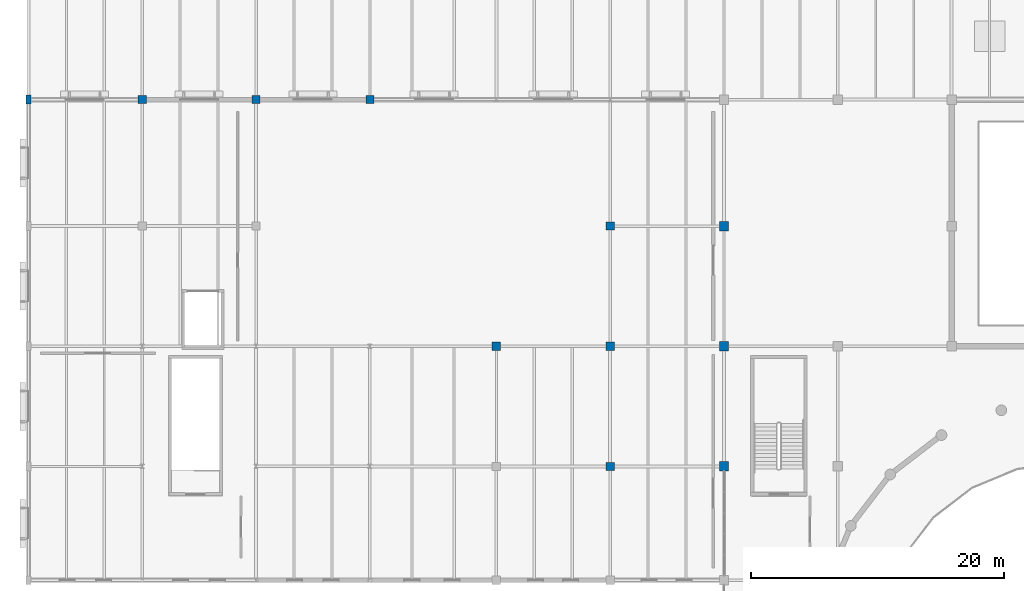
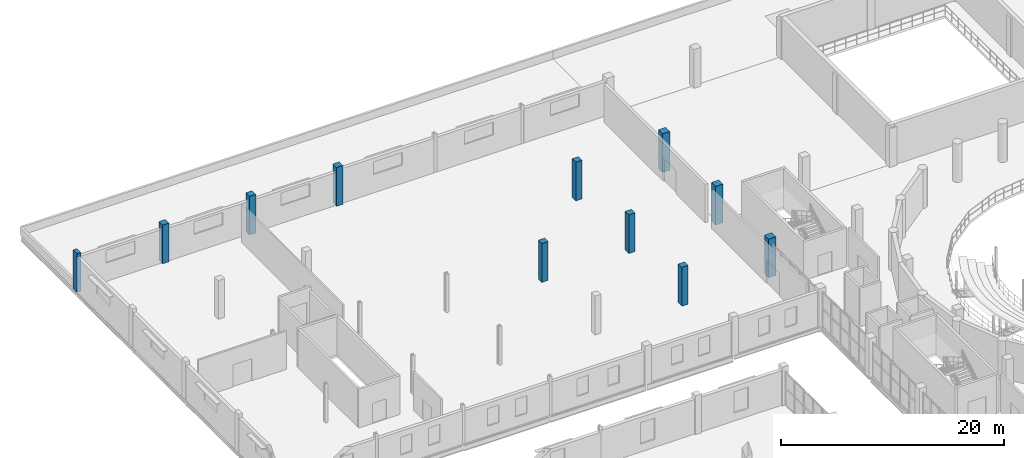
# One storey, part 13 of 85: 11 columns.
"""IFC4 building model written with IfcOpenShell, lengths in metres."""

from ifc_helpers import new_model, si_unit, direction, frame, origin, origin_2d, place, context, subcontext, project, spatial, rectangle, extrude, material, material_profile, profile_set, type_object, element, save


model = new_model("IFC4")

# Units and contexts
model_context = context("Model", 3, precision=1e-05, world=origin(), true_north=direction((0.0, 1.0)))
body_context = subcontext(model_context, "Body", "Model", "MODEL_VIEW")
ifc_project = project(units=[si_unit("LENGTHUNIT", "METRE"), si_unit("AREAUNIT", "SQUARE_METRE"), si_unit("VOLUMEUNIT", "CUBIC_METRE"), si_unit("PLANEANGLEUNIT", "RADIAN"), si_unit("MASSUNIT", "GRAM", prefix="KILO")], contexts=[model_context])

# Site, building, storey
site_placement = place(None, origin())
site = spatial("IfcSite", under=ifc_project, at=site_placement, CompositionType="ELEMENT")
building_placement = place(site_placement, origin())
building = spatial("IfcBuilding", under=site, at=building_placement, Name="Marnock Terrace Opera House", CompositionType="ELEMENT")
storey_placement = place(building_placement, frame((0.0, 0.0, 10.199951171875)))
storey = spatial("IfcBuildingStorey", under=building, at=storey_placement, Name="L02", CompositionType="ELEMENT", Elevation=10.199951171875)

# Columns
ifc_material_1 = material(Name="Concrete N40 (f'c = 40 MPa)", Category="concrete")
ifc_material_profile_1 = material_profile(ifc_material_1, rectangle(XDim=0.39990234375, YDim=0.699951171875, at=origin_2d()))
ifc_profile_set_1 = profile_set([ifc_material_profile_1], Name="Concrete N40 (f'c = 40 MPa)")
column_type_1 = type_object("IfcColumnType", Name="COL-PIL-700", PredefinedType="PILASTER", material=ifc_profile_set_1)
column_placement = place(storey_placement, frame((0.0, 104.0, 0.0), z_axis=(0.0, 0.0, 1.0), x_axis=(1.0, 0.0, 0.0)))
element("IfcColumn", 1, at=column_placement, inside=storey, type_object=column_type_1, Name="L02 column at (0.0, 104.0)", PredefinedType="PILASTER", context=body_context, shape_type="SweptSolid", body=[
    extrude(rectangle(XDim=0.39990234375, YDim=0.699951171875, at=origin_2d()), origin(), (0.0, 0.0, 1.0), 4.239990234375),
])
ifc_material_profile_2 = material_profile(ifc_material_1, rectangle(XDim=0.64990234375, YDim=0.64990234375, at=origin_2d()))
ifc_profile_set_2 = profile_set([ifc_material_profile_2], Name="Concrete N40 (f'c = 40 MPa)")
column_type_2 = type_object("IfcColumnType", Name="COL-RC650", PredefinedType="COLUMN", material=ifc_profile_set_2)
for number, where, z_axis, x_axis, name in (
    (2, (9.0, 104.0, 0.0), (0.0, 0.0, 1.0), (1.0, 0.0, 0.0), "L02 column at (9.0, 104.0)"),
    (3, (18.0, 104.0, 0.0), (0.0, 0.0, 1.0), (1.0, 0.0, 0.0), "L02 column at (18.0, 104.0)"),
    (4, (27.0, 104.0, 0.0), (0.0, 0.0, 1.0), (1.0, 0.0, 0.0), "L02 column at (27.0, 104.0)"),
    (5, (37.0, 84.5, 0.0), (0.0, 0.0, 1.0), (1.0, 0.0, 0.0), "L02 column at (37.0, 84.5)"),
    (6, (46.0, 75.0, 0.0), (0.0, 0.0, 1.0), (1.0, 0.0, 0.0), "L02 column at (46.0, 75.0)"),
    (7, (46.0, 84.5, 0.0), (0.0, 0.0, 1.0), (1.0, 0.0, 0.0), "L02 column at (46.0, 84.5)"),
    (8, (46.0, 94.0, 0.0), (0.0, 0.0, 1.0), (1.0, 0.0, 0.0), "L02 column at (46.0, 94.0)"),
):
    element("IfcColumn", number, at=place(storey_placement, frame(where, z_axis=z_axis, x_axis=x_axis)), inside=storey, type_object=column_type_2, Name=name, PredefinedType="COLUMN", context=body_context, shape_type="SweptSolid", body=[
        extrude(rectangle(XDim=0.64990234375, YDim=0.64990234375, at=origin_2d()), origin(), (0.0, 0.0, 1.0), 4.239990234375),
    ])
ifc_material_2 = material(Name="Concrete N50 (f'c = 50 MPa)", Category="concrete")
ifc_material_profile_3 = material_profile(ifc_material_2, rectangle(XDim=0.75, YDim=0.75, at=origin_2d()))
ifc_profile_set_3 = profile_set([ifc_material_profile_3], Name="Concrete N50 (f'c = 50 MPa)")
column_type_3 = type_object("IfcColumnType", Name="COL-RC750", PredefinedType="COLUMN", material=ifc_profile_set_3)
for number, where, z_axis, x_axis, name in (
    (9, (55.0, 75.0, 0.0), (0.0, 0.0, 1.0), (1.0, 0.0, 0.0), "L02 column at (55.0, 75.0)"),
    (10, (55.0, 84.5, 0.0), (0.0, 0.0, 1.0), (1.0, 0.0, 0.0), "L02 column at (55.0, 84.5)"),
    (11, (55.0, 94.0, 0.0), (0.0, 0.0, 1.0), (1.0, 0.0, 0.0), "L02 column at (55.0, 94.0)"),
):
    element("IfcColumn", number, at=place(storey_placement, frame(where, z_axis=z_axis, x_axis=x_axis)), inside=storey, type_object=column_type_3, Name=name, PredefinedType="COLUMN", context=body_context, shape_type="SweptSolid", body=[
        extrude(rectangle(XDim=0.75, YDim=0.75, at=origin_2d()), origin(), (0.0, 0.0, 1.0), 4.239990234375),
    ])

save(model, "model.ifc")
